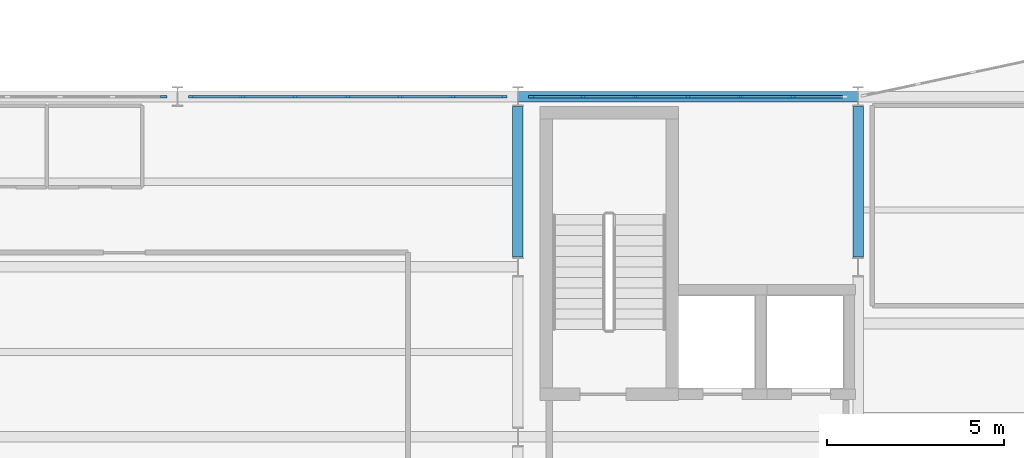
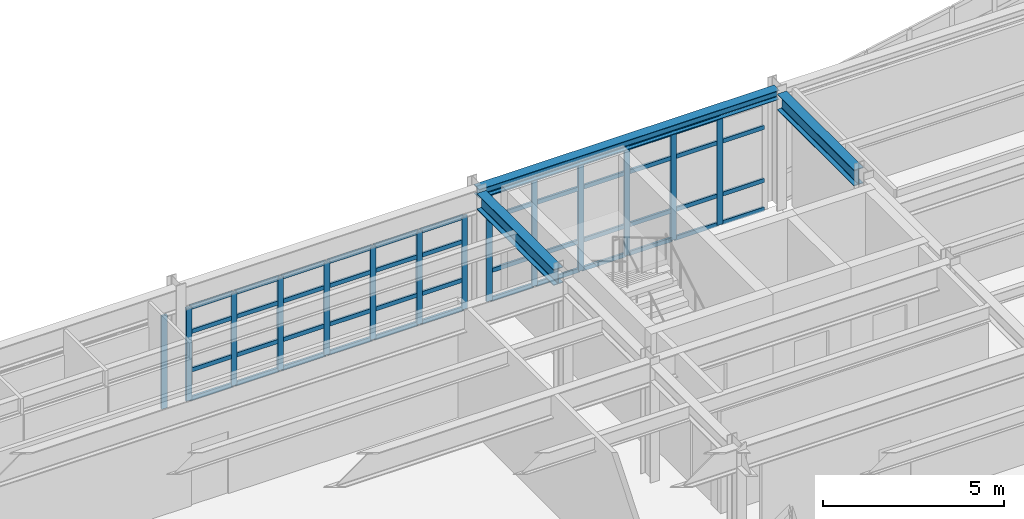
# One storey, part 34 of 88: 61 members, 3 beams, 3 elements without a shape of their own.
"""IFC4 building model written with IfcOpenShell, lengths in metres."""

from ifc_helpers import new_model, si_unit, direction, frame, origin, origin_2d, place, context, subcontext, project, spatial, rectangle, i_section, extrude, material, layer, layer_set, material_profile, profile_set, type_object, element, aggregate, save


model = new_model("IFC4")

# Units and contexts
model_context = context("Model", 3, precision=1e-05, world=origin(), true_north=direction((0.0, 1.0)))
body_context = subcontext(model_context, "Body", "Model", "MODEL_VIEW")
ifc_project = project(units=[si_unit("LENGTHUNIT", "METRE"), si_unit("AREAUNIT", "SQUARE_METRE"), si_unit("VOLUMEUNIT", "CUBIC_METRE"), si_unit("PLANEANGLEUNIT", "RADIAN"), si_unit("MASSUNIT", "GRAM", prefix="KILO")], contexts=[model_context])

# Site, building, storey
site_placement = place(None, origin())
site = spatial("IfcSite", under=ifc_project, at=site_placement, CompositionType="ELEMENT")
building_placement = place(site_placement, origin())
building = spatial("IfcBuilding", under=site, at=building_placement, Name="Nordkorset Police Headquarters", CompositionType="ELEMENT")
storey_placement = place(building_placement, frame((0.0, 0.0, 9.449951171875)))
storey = spatial("IfcBuildingStorey", under=building, at=storey_placement, Name="L02", CompositionType="ELEMENT", Elevation=9.449951171875)

# Curtain wall, member
ifc_material_1 = material(Name="Aluminium alloy AW-6060", Category="aluminium")
ifc_layer_1 = layer(ifc_material_1, 0.179931640625, Name="Aluminium alloy AW-6060")
ifc_layer_set_1 = layer_set([ifc_layer_1], Name="Aluminium alloy AW-6060")
curtain_wall_type_1 = type_object("IfcCurtainWallType", Name="CW_Unit_888x315", PredefinedType="USERDEFINED", material=ifc_layer_set_1)
curtain_wall_1_placement = place(storey_placement, origin())
curtain_wall_1 = element("IfcCurtainWall", 1, at=curtain_wall_1_placement, inside=storey, type_object=curtain_wall_type_1, Name="Unitised Curtain Wall L02 V1N-0", ObjectType="UNITISED CURTAIN WALL", PredefinedType="USERDEFINED")
ifc_material_2 = material(Name="Aluminium alloy AW-6060", Category="aluminium")
ifc_material_profile_1 = material_profile(ifc_material_2, rectangle(XDim=0.06494140625, YDim=0.179931640625, at=origin_2d()), Name="ALU MULL 65x180")
ifc_profile_set_1 = profile_set([ifc_material_profile_1], Name="Aluminium alloy AW-6060")
member_type_1 = type_object("IfcMemberType", Name="CW_Mullion_65x180", PredefinedType="MULLION", material=ifc_profile_set_1)
member_1_placement = place(storey_placement, frame((9.20751953125, 116.800048828125, 0.0), z_axis=(0.0, 0.0, 1.0), x_axis=(0.0, 1.0, 0.0)))
member_1 = element("IfcMember", 2, at=member_1_placement, type_object=member_type_1, Name="CW-22 mullion 7", PredefinedType="MULLION", context=body_context, shape_type="SweptSolid", body=[
    extrude(rectangle(XDim=0.06494140625, YDim=0.179931640625, at=origin_2d()), origin(), (0.0, 0.0, 1.0), 3.150146484375),
])
aggregate(curtain_wall_1, [member_1])

# Curtain wall, members
curtain_wall_2_placement = place(storey_placement, origin())
curtain_wall_2 = element("IfcCurtainWall", 3, at=curtain_wall_2_placement, inside=storey, type_object=curtain_wall_type_1, Name="Unitised Curtain Wall L02 V1N-1", ObjectType="UNITISED CURTAIN WALL", PredefinedType="USERDEFINED")
member_2_placement = place(storey_placement, frame((9.992431640625, 116.800048828125, 0.0), z_axis=(0.0, 0.0, 1.0), x_axis=(0.0, 1.0, 0.0)))
member_2 = element("IfcMember", 4, at=member_2_placement, type_object=member_type_1, Name="CW-22 mullion 1", PredefinedType="MULLION", context=body_context, shape_type="SweptSolid", body=[
    extrude(rectangle(XDim=0.06494140625, YDim=0.179931640625, at=origin_2d()), origin(), (0.0, 0.0, 1.0), 3.150146484375),
])
member_3_placement = place(storey_placement, frame((11.43994140625, 116.800048828125, 0.0), z_axis=(0.0, 0.0, 1.0), x_axis=(0.0, 1.0, 0.0)))
member_3 = element("IfcMember", 5, at=member_3_placement, type_object=member_type_1, Name="CW-22 mullion 2", PredefinedType="MULLION", context=body_context, shape_type="SweptSolid", body=[
    extrude(rectangle(XDim=0.06494140625, YDim=0.179931640625, at=origin_2d()), origin(), (0.0, 0.0, 1.0), 3.150146484375),
])
member_4_placement = place(storey_placement, frame((12.919921875, 116.800048828125, 0.0), z_axis=(0.0, 0.0, 1.0), x_axis=(0.0, 1.0, 0.0)))
member_4 = element("IfcMember", 6, at=member_4_placement, type_object=member_type_1, Name="CW-22 mullion 3", PredefinedType="MULLION", context=body_context, shape_type="SweptSolid", body=[
    extrude(rectangle(XDim=0.06494140625, YDim=0.179931640625, at=origin_2d()), origin(), (0.0, 0.0, 1.0), 3.150146484375),
])
member_5_placement = place(storey_placement, frame((14.39990234375, 116.800048828125, 0.0), z_axis=(0.0, 0.0, 1.0), x_axis=(0.0, 1.0, 0.0)))
member_5 = element("IfcMember", 7, at=member_5_placement, type_object=member_type_1, Name="CW-22 mullion 4", PredefinedType="MULLION", context=body_context, shape_type="SweptSolid", body=[
    extrude(rectangle(XDim=0.06494140625, YDim=0.179931640625, at=origin_2d()), origin(), (0.0, 0.0, 1.0), 3.150146484375),
])
member_6_placement = place(storey_placement, frame((15.8798828125, 116.800048828125, 0.0), z_axis=(0.0, 0.0, 1.0), x_axis=(0.0, 1.0, 0.0)))
member_6 = element("IfcMember", 8, at=member_6_placement, type_object=member_type_1, Name="CW-22 mullion 5", PredefinedType="MULLION", context=body_context, shape_type="SweptSolid", body=[
    extrude(rectangle(XDim=0.06494140625, YDim=0.179931640625, at=origin_2d()), origin(), (0.0, 0.0, 1.0), 3.150146484375),
])
member_7_placement = place(storey_placement, frame((17.360107421875, 116.800048828125, 0.0), z_axis=(0.0, 0.0, 1.0), x_axis=(0.0, 1.0, 0.0)))
member_7 = element("IfcMember", 9, at=member_7_placement, type_object=member_type_1, Name="CW-22 mullion 6", PredefinedType="MULLION", context=body_context, shape_type="SweptSolid", body=[
    extrude(rectangle(XDim=0.06494140625, YDim=0.179931640625, at=origin_2d()), origin(), (0.0, 0.0, 1.0), 3.150146484375),
])
member_8_placement = place(storey_placement, frame((18.8076171875, 116.800048828125, 0.0), z_axis=(0.0, 0.0, 1.0), x_axis=(0.0, 1.0, 0.0)))
member_8 = element("IfcMember", 10, at=member_8_placement, type_object=member_type_1, Name="CW-22 mullion 7", PredefinedType="MULLION", context=body_context, shape_type="SweptSolid", body=[
    extrude(rectangle(XDim=0.06494140625, YDim=0.179931640625, at=origin_2d()), origin(), (0.0, 0.0, 1.0), 3.150146484375),
])

ifc_material_3 = material(Name="Aluminium alloy AW-6060", Category="aluminium")
ifc_layer_2 = layer(ifc_material_3, 0.179931640625, Name="Aluminium alloy AW-6060")
ifc_layer_set_2 = layer_set([ifc_layer_2], Name="Aluminium alloy AW-6060")
curtain_wall_type_2 = type_object("IfcCurtainWallType", Name="CW_Unit_888x364", PredefinedType="USERDEFINED", material=ifc_layer_set_2)
curtain_wall_3_placement = place(storey_placement, origin())
curtain_wall_3 = element("IfcCurtainWall", 11, at=curtain_wall_3_placement, inside=storey, type_object=curtain_wall_type_2, Name="Unitised Curtain Wall L02 V1N-2", ObjectType="UNITISED CURTAIN WALL", PredefinedType="USERDEFINED")
member_9_placement = place(storey_placement, frame((19.592529296875, 116.800048828125, 0.0), z_axis=(0.0, 0.0, 1.0), x_axis=(0.0, 1.0, 0.0)))
member_9 = element("IfcMember", 12, at=member_9_placement, type_object=member_type_1, Name="CW-53 mullion 1", PredefinedType="MULLION", context=body_context, shape_type="SweptSolid", body=[
    extrude(rectangle(XDim=0.06494140625, YDim=0.179931640625, at=origin_2d()), origin(), (0.0, 0.0, 1.0), 3.64013671875),
])
member_10_placement = place(storey_placement, frame((21.0400390625, 116.800048828125, 0.0), z_axis=(0.0, 0.0, 1.0), x_axis=(0.0, 1.0, 0.0)))
member_10 = element("IfcMember", 13, at=member_10_placement, type_object=member_type_1, Name="CW-53 mullion 2", PredefinedType="MULLION", context=body_context, shape_type="SweptSolid", body=[
    extrude(rectangle(XDim=0.06494140625, YDim=0.179931640625, at=origin_2d()), origin(), (0.0, 0.0, 1.0), 3.64013671875),
])
member_11_placement = place(storey_placement, frame((22.52001953125, 116.800048828125, 0.0), z_axis=(0.0, 0.0, 1.0), x_axis=(0.0, 1.0, 0.0)))
member_11 = element("IfcMember", 14, at=member_11_placement, type_object=member_type_1, Name="CW-53 mullion 3", PredefinedType="MULLION", context=body_context, shape_type="SweptSolid", body=[
    extrude(rectangle(XDim=0.06494140625, YDim=0.179931640625, at=origin_2d()), origin(), (0.0, 0.0, 1.0), 3.64013671875),
])
member_12_placement = place(storey_placement, frame((24.0, 116.800048828125, 0.0), z_axis=(0.0, 0.0, 1.0), x_axis=(0.0, 1.0, 0.0)))
member_12 = element("IfcMember", 15, at=member_12_placement, type_object=member_type_1, Name="CW-53 mullion 4", PredefinedType="MULLION", context=body_context, shape_type="SweptSolid", body=[
    extrude(rectangle(XDim=0.06494140625, YDim=0.179931640625, at=origin_2d()), origin(), (0.0, 0.0, 1.0), 3.64013671875),
])
member_13_placement = place(storey_placement, frame((25.47998046875, 116.800048828125, 0.0), z_axis=(0.0, 0.0, 1.0), x_axis=(0.0, 1.0, 0.0)))
member_13 = element("IfcMember", 16, at=member_13_placement, type_object=member_type_1, Name="CW-53 mullion 5", PredefinedType="MULLION", context=body_context, shape_type="SweptSolid", body=[
    extrude(rectangle(XDim=0.06494140625, YDim=0.179931640625, at=origin_2d()), origin(), (0.0, 0.0, 1.0), 3.64013671875),
])
member_14_placement = place(storey_placement, frame((26.9599609375, 116.800048828125, 0.0), z_axis=(0.0, 0.0, 1.0), x_axis=(0.0, 1.0, 0.0)))
member_14 = element("IfcMember", 17, at=member_14_placement, type_object=member_type_1, Name="CW-53 mullion 6", PredefinedType="MULLION", context=body_context, shape_type="SweptSolid", body=[
    extrude(rectangle(XDim=0.06494140625, YDim=0.179931640625, at=origin_2d()), origin(), (0.0, 0.0, 1.0), 3.64013671875),
])

# Member
ifc_material_4 = material(Name="Aluminium alloy AW-6060", Category="aluminium")
ifc_material_profile_2 = material_profile(ifc_material_4, rectangle(XDim=0.06494140625, YDim=0.139892578125, at=origin_2d()), Name="ALU TRAN 65x140")
ifc_profile_set_2 = profile_set([ifc_material_profile_2], Name="Aluminium alloy AW-6060")
member_type_2 = type_object("IfcMemberType", Name="CW_Transom_65x140", PredefinedType="USERDEFINED", material=ifc_profile_set_2)
member_15_placement = place(storey_placement, frame((10.02490234375, 116.800048828125, 0.032470703125), z_axis=(1.0, 0.0, 0.0), x_axis=(0.0, 1.0, 0.0)))
member_15 = element("IfcMember", 18, at=member_15_placement, type_object=member_type_2, Name="CW-22 transom 1.1", ObjectType="TRANSOM", PredefinedType="USERDEFINED", context=body_context, shape_type="SweptSolid", body=[
    extrude(rectangle(XDim=0.06494140625, YDim=0.139892578125, at=origin_2d()), origin(), (0.0, 0.0, 1.0), 1.382568359375),
])

member_16_placement = place(storey_placement, frame((10.02490234375, 116.800048828125, 1.0), z_axis=(1.0, 0.0, 0.0), x_axis=(0.0, 1.0, 0.0)))
member_16 = element("IfcMember", 19, at=member_16_placement, type_object=member_type_2, Name="CW-22 transom 1.2", ObjectType="TRANSOM", PredefinedType="USERDEFINED", context=body_context, shape_type="SweptSolid", body=[
    extrude(rectangle(XDim=0.06494140625, YDim=0.139892578125, at=origin_2d()), origin(), (0.0, 0.0, 1.0), 1.382568359375),
])

member_17_placement = place(storey_placement, frame((10.02490234375, 116.800048828125, 2.300048828125), z_axis=(1.0, 0.0, 0.0), x_axis=(0.0, 1.0, 0.0)))
member_17 = element("IfcMember", 20, at=member_17_placement, type_object=member_type_2, Name="CW-22 transom 1.3", ObjectType="TRANSOM", PredefinedType="USERDEFINED", context=body_context, shape_type="SweptSolid", body=[
    extrude(rectangle(XDim=0.06494140625, YDim=0.139892578125, at=origin_2d()), origin(), (0.0, 0.0, 1.0), 1.382568359375),
])

member_18_placement = place(storey_placement, frame((10.02490234375, 116.800048828125, 3.117431640625), z_axis=(1.0, 0.0, 0.0), x_axis=(0.0, 1.0, 0.0)))
member_18 = element("IfcMember", 21, at=member_18_placement, type_object=member_type_2, Name="CW-22 transom 1.4", ObjectType="TRANSOM", PredefinedType="USERDEFINED", context=body_context, shape_type="SweptSolid", body=[
    extrude(rectangle(XDim=0.06494140625, YDim=0.139892578125, at=origin_2d()), origin(), (0.0, 0.0, 1.0), 1.382568359375),
])

member_19_placement = place(storey_placement, frame((11.472412109375, 116.800048828125, 0.032470703125), z_axis=(1.0, 0.0, 0.0), x_axis=(0.0, 1.0, 0.0)))
member_19 = element("IfcMember", 22, at=member_19_placement, type_object=member_type_2, Name="CW-22 transom 2.1", ObjectType="TRANSOM", PredefinedType="USERDEFINED", context=body_context, shape_type="SweptSolid", body=[
    extrude(rectangle(XDim=0.06494140625, YDim=0.139892578125, at=origin_2d()), origin(), (0.0, 0.0, 1.0), 1.4150390625),
])

member_20_placement = place(storey_placement, frame((11.472412109375, 116.800048828125, 1.0), z_axis=(1.0, 0.0, 0.0), x_axis=(0.0, 1.0, 0.0)))
member_20 = element("IfcMember", 23, at=member_20_placement, type_object=member_type_2, Name="CW-22 transom 2.2", ObjectType="TRANSOM", PredefinedType="USERDEFINED", context=body_context, shape_type="SweptSolid", body=[
    extrude(rectangle(XDim=0.06494140625, YDim=0.139892578125, at=origin_2d()), origin(), (0.0, 0.0, 1.0), 1.4150390625),
])

member_21_placement = place(storey_placement, frame((11.472412109375, 116.800048828125, 2.300048828125), z_axis=(1.0, 0.0, 0.0), x_axis=(0.0, 1.0, 0.0)))
member_21 = element("IfcMember", 24, at=member_21_placement, type_object=member_type_2, Name="CW-22 transom 2.3", ObjectType="TRANSOM", PredefinedType="USERDEFINED", context=body_context, shape_type="SweptSolid", body=[
    extrude(rectangle(XDim=0.06494140625, YDim=0.139892578125, at=origin_2d()), origin(), (0.0, 0.0, 1.0), 1.4150390625),
])

member_22_placement = place(storey_placement, frame((11.472412109375, 116.800048828125, 3.117431640625), z_axis=(1.0, 0.0, 0.0), x_axis=(0.0, 1.0, 0.0)))
member_22 = element("IfcMember", 25, at=member_22_placement, type_object=member_type_2, Name="CW-22 transom 2.4", ObjectType="TRANSOM", PredefinedType="USERDEFINED", context=body_context, shape_type="SweptSolid", body=[
    extrude(rectangle(XDim=0.06494140625, YDim=0.139892578125, at=origin_2d()), origin(), (0.0, 0.0, 1.0), 1.4150390625),
])

member_23_placement = place(storey_placement, frame((12.952392578125, 116.800048828125, 0.032470703125), z_axis=(1.0, 0.0, 0.0), x_axis=(0.0, 1.0, 0.0)))
member_23 = element("IfcMember", 26, at=member_23_placement, type_object=member_type_2, Name="CW-22 transom 3.1", ObjectType="TRANSOM", PredefinedType="USERDEFINED", context=body_context, shape_type="SweptSolid", body=[
    extrude(rectangle(XDim=0.06494140625, YDim=0.139892578125, at=origin_2d()), origin(), (0.0, 0.0, 1.0), 1.4150390625),
])

member_24_placement = place(storey_placement, frame((12.952392578125, 116.800048828125, 1.0), z_axis=(1.0, 0.0, 0.0), x_axis=(0.0, 1.0, 0.0)))
member_24 = element("IfcMember", 27, at=member_24_placement, type_object=member_type_2, Name="CW-22 transom 3.2", ObjectType="TRANSOM", PredefinedType="USERDEFINED", context=body_context, shape_type="SweptSolid", body=[
    extrude(rectangle(XDim=0.06494140625, YDim=0.139892578125, at=origin_2d()), origin(), (0.0, 0.0, 1.0), 1.4150390625),
])

member_25_placement = place(storey_placement, frame((12.952392578125, 116.800048828125, 2.300048828125), z_axis=(1.0, 0.0, 0.0), x_axis=(0.0, 1.0, 0.0)))
member_25 = element("IfcMember", 28, at=member_25_placement, type_object=member_type_2, Name="CW-22 transom 3.3", ObjectType="TRANSOM", PredefinedType="USERDEFINED", context=body_context, shape_type="SweptSolid", body=[
    extrude(rectangle(XDim=0.06494140625, YDim=0.139892578125, at=origin_2d()), origin(), (0.0, 0.0, 1.0), 1.4150390625),
])

member_26_placement = place(storey_placement, frame((12.952392578125, 116.800048828125, 3.117431640625), z_axis=(1.0, 0.0, 0.0), x_axis=(0.0, 1.0, 0.0)))
member_26 = element("IfcMember", 29, at=member_26_placement, type_object=member_type_2, Name="CW-22 transom 3.4", ObjectType="TRANSOM", PredefinedType="USERDEFINED", context=body_context, shape_type="SweptSolid", body=[
    extrude(rectangle(XDim=0.06494140625, YDim=0.139892578125, at=origin_2d()), origin(), (0.0, 0.0, 1.0), 1.4150390625),
])

member_27_placement = place(storey_placement, frame((14.4326171875, 116.800048828125, 0.032470703125), z_axis=(1.0, 0.0, 0.0), x_axis=(0.0, 1.0, 0.0)))
member_27 = element("IfcMember", 30, at=member_27_placement, type_object=member_type_2, Name="CW-22 transom 4.1", ObjectType="TRANSOM", PredefinedType="USERDEFINED", context=body_context, shape_type="SweptSolid", body=[
    extrude(rectangle(XDim=0.06494140625, YDim=0.139892578125, at=origin_2d()), origin(), (0.0, 0.0, 1.0), 1.414794921875),
])

member_28_placement = place(storey_placement, frame((14.4326171875, 116.800048828125, 1.0), z_axis=(1.0, 0.0, 0.0), x_axis=(0.0, 1.0, 0.0)))
member_28 = element("IfcMember", 31, at=member_28_placement, type_object=member_type_2, Name="CW-22 transom 4.2", ObjectType="TRANSOM", PredefinedType="USERDEFINED", context=body_context, shape_type="SweptSolid", body=[
    extrude(rectangle(XDim=0.06494140625, YDim=0.139892578125, at=origin_2d()), origin(), (0.0, 0.0, 1.0), 1.414794921875),
])

member_29_placement = place(storey_placement, frame((14.4326171875, 116.800048828125, 2.300048828125), z_axis=(1.0, 0.0, 0.0), x_axis=(0.0, 1.0, 0.0)))
member_29 = element("IfcMember", 32, at=member_29_placement, type_object=member_type_2, Name="CW-22 transom 4.3", ObjectType="TRANSOM", PredefinedType="USERDEFINED", context=body_context, shape_type="SweptSolid", body=[
    extrude(rectangle(XDim=0.06494140625, YDim=0.139892578125, at=origin_2d()), origin(), (0.0, 0.0, 1.0), 1.414794921875),
])

member_30_placement = place(storey_placement, frame((14.4326171875, 116.800048828125, 3.117431640625), z_axis=(1.0, 0.0, 0.0), x_axis=(0.0, 1.0, 0.0)))
member_30 = element("IfcMember", 33, at=member_30_placement, type_object=member_type_2, Name="CW-22 transom 4.4", ObjectType="TRANSOM", PredefinedType="USERDEFINED", context=body_context, shape_type="SweptSolid", body=[
    extrude(rectangle(XDim=0.06494140625, YDim=0.139892578125, at=origin_2d()), origin(), (0.0, 0.0, 1.0), 1.414794921875),
])

member_31_placement = place(storey_placement, frame((15.91259765625, 116.800048828125, 0.032470703125), z_axis=(1.0, 0.0, 0.0), x_axis=(0.0, 1.0, 0.0)))
member_31 = element("IfcMember", 34, at=member_31_placement, type_object=member_type_2, Name="CW-22 transom 5.1", ObjectType="TRANSOM", PredefinedType="USERDEFINED", context=body_context, shape_type="SweptSolid", body=[
    extrude(rectangle(XDim=0.06494140625, YDim=0.139892578125, at=origin_2d()), origin(), (0.0, 0.0, 1.0), 1.414794921875),
])

member_32_placement = place(storey_placement, frame((15.91259765625, 116.800048828125, 1.0), z_axis=(1.0, 0.0, 0.0), x_axis=(0.0, 1.0, 0.0)))
member_32 = element("IfcMember", 35, at=member_32_placement, type_object=member_type_2, Name="CW-22 transom 5.2", ObjectType="TRANSOM", PredefinedType="USERDEFINED", context=body_context, shape_type="SweptSolid", body=[
    extrude(rectangle(XDim=0.06494140625, YDim=0.139892578125, at=origin_2d()), origin(), (0.0, 0.0, 1.0), 1.414794921875),
])

member_33_placement = place(storey_placement, frame((15.91259765625, 116.800048828125, 2.300048828125), z_axis=(1.0, 0.0, 0.0), x_axis=(0.0, 1.0, 0.0)))
member_33 = element("IfcMember", 36, at=member_33_placement, type_object=member_type_2, Name="CW-22 transom 5.3", ObjectType="TRANSOM", PredefinedType="USERDEFINED", context=body_context, shape_type="SweptSolid", body=[
    extrude(rectangle(XDim=0.06494140625, YDim=0.139892578125, at=origin_2d()), origin(), (0.0, 0.0, 1.0), 1.414794921875),
])

member_34_placement = place(storey_placement, frame((15.91259765625, 116.800048828125, 3.117431640625), z_axis=(1.0, 0.0, 0.0), x_axis=(0.0, 1.0, 0.0)))
member_34 = element("IfcMember", 37, at=member_34_placement, type_object=member_type_2, Name="CW-22 transom 5.4", ObjectType="TRANSOM", PredefinedType="USERDEFINED", context=body_context, shape_type="SweptSolid", body=[
    extrude(rectangle(XDim=0.06494140625, YDim=0.139892578125, at=origin_2d()), origin(), (0.0, 0.0, 1.0), 1.414794921875),
])

member_35_placement = place(storey_placement, frame((17.392578125, 116.800048828125, 0.032470703125), z_axis=(1.0, 0.0, 0.0), x_axis=(0.0, 1.0, 0.0)))
member_35 = element("IfcMember", 38, at=member_35_placement, type_object=member_type_2, Name="CW-22 transom 6.1", ObjectType="TRANSOM", PredefinedType="USERDEFINED", context=body_context, shape_type="SweptSolid", body=[
    extrude(rectangle(XDim=0.06494140625, YDim=0.139892578125, at=origin_2d()), origin(), (0.0, 0.0, 1.0), 1.38232421875),
])

member_36_placement = place(storey_placement, frame((17.392578125, 116.800048828125, 1.0), z_axis=(1.0, 0.0, 0.0), x_axis=(0.0, 1.0, 0.0)))
member_36 = element("IfcMember", 39, at=member_36_placement, type_object=member_type_2, Name="CW-22 transom 6.2", ObjectType="TRANSOM", PredefinedType="USERDEFINED", context=body_context, shape_type="SweptSolid", body=[
    extrude(rectangle(XDim=0.06494140625, YDim=0.139892578125, at=origin_2d()), origin(), (0.0, 0.0, 1.0), 1.38232421875),
])

member_37_placement = place(storey_placement, frame((17.392578125, 116.800048828125, 2.300048828125), z_axis=(1.0, 0.0, 0.0), x_axis=(0.0, 1.0, 0.0)))
member_37 = element("IfcMember", 40, at=member_37_placement, type_object=member_type_2, Name="CW-22 transom 6.3", ObjectType="TRANSOM", PredefinedType="USERDEFINED", context=body_context, shape_type="SweptSolid", body=[
    extrude(rectangle(XDim=0.06494140625, YDim=0.139892578125, at=origin_2d()), origin(), (0.0, 0.0, 1.0), 1.38232421875),
])

member_38_placement = place(storey_placement, frame((17.392578125, 116.800048828125, 3.117431640625), z_axis=(1.0, 0.0, 0.0), x_axis=(0.0, 1.0, 0.0)))
member_38 = element("IfcMember", 41, at=member_38_placement, type_object=member_type_2, Name="CW-22 transom 6.4", ObjectType="TRANSOM", PredefinedType="USERDEFINED", context=body_context, shape_type="SweptSolid", body=[
    extrude(rectangle(XDim=0.06494140625, YDim=0.139892578125, at=origin_2d()), origin(), (0.0, 0.0, 1.0), 1.38232421875),
])

aggregate(curtain_wall_2, [member_2, member_3, member_4, member_5, member_6, member_7, member_8, member_15, member_16, member_17, member_18, member_19, member_20, member_21, member_22, member_23, member_24, member_25, member_26, member_27, member_28, member_29, member_30, member_31, member_32, member_33, member_34, member_35, member_36, member_37, member_38])

member_39_placement = place(storey_placement, frame((19.625, 116.800048828125, 0.032470703125), z_axis=(1.0, 0.0, 0.0), x_axis=(0.0, 1.0, 0.0)))
member_39 = element("IfcMember", 42, at=member_39_placement, type_object=member_type_2, Name="CW-53 transom 1.1", ObjectType="TRANSOM", PredefinedType="USERDEFINED", context=body_context, shape_type="SweptSolid", body=[
    extrude(rectangle(XDim=0.06494140625, YDim=0.139892578125, at=origin_2d()), origin(), (0.0, 0.0, 1.0), 1.382568359375),
])

member_40_placement = place(storey_placement, frame((19.625, 116.800048828125, 1.0), z_axis=(1.0, 0.0, 0.0), x_axis=(0.0, 1.0, 0.0)))
member_40 = element("IfcMember", 43, at=member_40_placement, type_object=member_type_2, Name="CW-53 transom 1.2", ObjectType="TRANSOM", PredefinedType="USERDEFINED", context=body_context, shape_type="SweptSolid", body=[
    extrude(rectangle(XDim=0.06494140625, YDim=0.139892578125, at=origin_2d()), origin(), (0.0, 0.0, 1.0), 1.382568359375),
])

member_41_placement = place(storey_placement, frame((19.625, 116.800048828125, 2.7900390625), z_axis=(1.0, 0.0, 0.0), x_axis=(0.0, 1.0, 0.0)))
member_41 = element("IfcMember", 44, at=member_41_placement, type_object=member_type_2, Name="CW-53 transom 1.3", ObjectType="TRANSOM", PredefinedType="USERDEFINED", context=body_context, shape_type="SweptSolid", body=[
    extrude(rectangle(XDim=0.06494140625, YDim=0.139892578125, at=origin_2d()), origin(), (0.0, 0.0, 1.0), 1.382568359375),
])

member_42_placement = place(storey_placement, frame((19.625, 116.800048828125, 3.607666015625), z_axis=(1.0, 0.0, 0.0), x_axis=(0.0, 1.0, 0.0)))
member_42 = element("IfcMember", 45, at=member_42_placement, type_object=member_type_2, Name="CW-53 transom 1.4", ObjectType="TRANSOM", PredefinedType="USERDEFINED", context=body_context, shape_type="SweptSolid", body=[
    extrude(rectangle(XDim=0.06494140625, YDim=0.139892578125, at=origin_2d()), origin(), (0.0, 0.0, 1.0), 1.382568359375),
])

member_43_placement = place(storey_placement, frame((21.072509765625, 116.800048828125, 0.032470703125), z_axis=(1.0, 0.0, 0.0), x_axis=(0.0, 1.0, 0.0)))
member_43 = element("IfcMember", 46, at=member_43_placement, type_object=member_type_2, Name="CW-53 transom 2.1", ObjectType="TRANSOM", PredefinedType="USERDEFINED", context=body_context, shape_type="SweptSolid", body=[
    extrude(rectangle(XDim=0.06494140625, YDim=0.139892578125, at=origin_2d()), origin(), (0.0, 0.0, 1.0), 1.4150390625),
])

member_44_placement = place(storey_placement, frame((21.072509765625, 116.800048828125, 1.0), z_axis=(1.0, 0.0, 0.0), x_axis=(0.0, 1.0, 0.0)))
member_44 = element("IfcMember", 47, at=member_44_placement, type_object=member_type_2, Name="CW-53 transom 2.2", ObjectType="TRANSOM", PredefinedType="USERDEFINED", context=body_context, shape_type="SweptSolid", body=[
    extrude(rectangle(XDim=0.06494140625, YDim=0.139892578125, at=origin_2d()), origin(), (0.0, 0.0, 1.0), 1.4150390625),
])

member_45_placement = place(storey_placement, frame((21.072509765625, 116.800048828125, 2.7900390625), z_axis=(1.0, 0.0, 0.0), x_axis=(0.0, 1.0, 0.0)))
member_45 = element("IfcMember", 48, at=member_45_placement, type_object=member_type_2, Name="CW-53 transom 2.3", ObjectType="TRANSOM", PredefinedType="USERDEFINED", context=body_context, shape_type="SweptSolid", body=[
    extrude(rectangle(XDim=0.06494140625, YDim=0.139892578125, at=origin_2d()), origin(), (0.0, 0.0, 1.0), 1.4150390625),
])

member_46_placement = place(storey_placement, frame((21.072509765625, 116.800048828125, 3.607666015625), z_axis=(1.0, 0.0, 0.0), x_axis=(0.0, 1.0, 0.0)))
member_46 = element("IfcMember", 49, at=member_46_placement, type_object=member_type_2, Name="CW-53 transom 2.4", ObjectType="TRANSOM", PredefinedType="USERDEFINED", context=body_context, shape_type="SweptSolid", body=[
    extrude(rectangle(XDim=0.06494140625, YDim=0.139892578125, at=origin_2d()), origin(), (0.0, 0.0, 1.0), 1.4150390625),
])

member_47_placement = place(storey_placement, frame((22.552490234375, 116.800048828125, 0.032470703125), z_axis=(1.0, 0.0, 0.0), x_axis=(0.0, 1.0, 0.0)))
member_47 = element("IfcMember", 50, at=member_47_placement, type_object=member_type_2, Name="CW-53 transom 3.1", ObjectType="TRANSOM", PredefinedType="USERDEFINED", context=body_context, shape_type="SweptSolid", body=[
    extrude(rectangle(XDim=0.06494140625, YDim=0.139892578125, at=origin_2d()), origin(), (0.0, 0.0, 1.0), 1.4150390625),
])

member_48_placement = place(storey_placement, frame((22.552490234375, 116.800048828125, 1.0), z_axis=(1.0, 0.0, 0.0), x_axis=(0.0, 1.0, 0.0)))
member_48 = element("IfcMember", 51, at=member_48_placement, type_object=member_type_2, Name="CW-53 transom 3.2", ObjectType="TRANSOM", PredefinedType="USERDEFINED", context=body_context, shape_type="SweptSolid", body=[
    extrude(rectangle(XDim=0.06494140625, YDim=0.139892578125, at=origin_2d()), origin(), (0.0, 0.0, 1.0), 1.4150390625),
])

member_49_placement = place(storey_placement, frame((22.552490234375, 116.800048828125, 2.7900390625), z_axis=(1.0, 0.0, 0.0), x_axis=(0.0, 1.0, 0.0)))
member_49 = element("IfcMember", 52, at=member_49_placement, type_object=member_type_2, Name="CW-53 transom 3.3", ObjectType="TRANSOM", PredefinedType="USERDEFINED", context=body_context, shape_type="SweptSolid", body=[
    extrude(rectangle(XDim=0.06494140625, YDim=0.139892578125, at=origin_2d()), origin(), (0.0, 0.0, 1.0), 1.4150390625),
])

member_50_placement = place(storey_placement, frame((22.552490234375, 116.800048828125, 3.607666015625), z_axis=(1.0, 0.0, 0.0), x_axis=(0.0, 1.0, 0.0)))
member_50 = element("IfcMember", 53, at=member_50_placement, type_object=member_type_2, Name="CW-53 transom 3.4", ObjectType="TRANSOM", PredefinedType="USERDEFINED", context=body_context, shape_type="SweptSolid", body=[
    extrude(rectangle(XDim=0.06494140625, YDim=0.139892578125, at=origin_2d()), origin(), (0.0, 0.0, 1.0), 1.4150390625),
])

member_51_placement = place(storey_placement, frame((24.032470703125, 116.800048828125, 0.032470703125), z_axis=(1.0, 0.0, 0.0), x_axis=(0.0, 1.0, 0.0)))
member_51 = element("IfcMember", 54, at=member_51_placement, type_object=member_type_2, Name="CW-53 transom 4.1", ObjectType="TRANSOM", PredefinedType="USERDEFINED", context=body_context, shape_type="SweptSolid", body=[
    extrude(rectangle(XDim=0.06494140625, YDim=0.139892578125, at=origin_2d()), origin(), (0.0, 0.0, 1.0), 1.4150390625),
])

member_52_placement = place(storey_placement, frame((24.032470703125, 116.800048828125, 1.0), z_axis=(1.0, 0.0, 0.0), x_axis=(0.0, 1.0, 0.0)))
member_52 = element("IfcMember", 55, at=member_52_placement, type_object=member_type_2, Name="CW-53 transom 4.2", ObjectType="TRANSOM", PredefinedType="USERDEFINED", context=body_context, shape_type="SweptSolid", body=[
    extrude(rectangle(XDim=0.06494140625, YDim=0.139892578125, at=origin_2d()), origin(), (0.0, 0.0, 1.0), 1.4150390625),
])

member_53_placement = place(storey_placement, frame((24.032470703125, 116.800048828125, 2.7900390625), z_axis=(1.0, 0.0, 0.0), x_axis=(0.0, 1.0, 0.0)))
member_53 = element("IfcMember", 56, at=member_53_placement, type_object=member_type_2, Name="CW-53 transom 4.3", ObjectType="TRANSOM", PredefinedType="USERDEFINED", context=body_context, shape_type="SweptSolid", body=[
    extrude(rectangle(XDim=0.06494140625, YDim=0.139892578125, at=origin_2d()), origin(), (0.0, 0.0, 1.0), 1.4150390625),
])

member_54_placement = place(storey_placement, frame((24.032470703125, 116.800048828125, 3.607666015625), z_axis=(1.0, 0.0, 0.0), x_axis=(0.0, 1.0, 0.0)))
member_54 = element("IfcMember", 57, at=member_54_placement, type_object=member_type_2, Name="CW-53 transom 4.4", ObjectType="TRANSOM", PredefinedType="USERDEFINED", context=body_context, shape_type="SweptSolid", body=[
    extrude(rectangle(XDim=0.06494140625, YDim=0.139892578125, at=origin_2d()), origin(), (0.0, 0.0, 1.0), 1.4150390625),
])

member_55_placement = place(storey_placement, frame((25.512451171875, 116.800048828125, 0.032470703125), z_axis=(1.0, 0.0, 0.0), x_axis=(0.0, 1.0, 0.0)))
member_55 = element("IfcMember", 58, at=member_55_placement, type_object=member_type_2, Name="CW-53 transom 5.1", ObjectType="TRANSOM", PredefinedType="USERDEFINED", context=body_context, shape_type="SweptSolid", body=[
    extrude(rectangle(XDim=0.06494140625, YDim=0.139892578125, at=origin_2d()), origin(), (0.0, 0.0, 1.0), 1.4150390625),
])

member_56_placement = place(storey_placement, frame((25.512451171875, 116.800048828125, 1.0), z_axis=(1.0, 0.0, 0.0), x_axis=(0.0, 1.0, 0.0)))
member_56 = element("IfcMember", 59, at=member_56_placement, type_object=member_type_2, Name="CW-53 transom 5.2", ObjectType="TRANSOM", PredefinedType="USERDEFINED", context=body_context, shape_type="SweptSolid", body=[
    extrude(rectangle(XDim=0.06494140625, YDim=0.139892578125, at=origin_2d()), origin(), (0.0, 0.0, 1.0), 1.4150390625),
])

member_57_placement = place(storey_placement, frame((25.512451171875, 116.800048828125, 2.7900390625), z_axis=(1.0, 0.0, 0.0), x_axis=(0.0, 1.0, 0.0)))
member_57 = element("IfcMember", 60, at=member_57_placement, type_object=member_type_2, Name="CW-53 transom 5.3", ObjectType="TRANSOM", PredefinedType="USERDEFINED", context=body_context, shape_type="SweptSolid", body=[
    extrude(rectangle(XDim=0.06494140625, YDim=0.139892578125, at=origin_2d()), origin(), (0.0, 0.0, 1.0), 1.4150390625),
])

member_58_placement = place(storey_placement, frame((25.512451171875, 116.800048828125, 3.607666015625), z_axis=(1.0, 0.0, 0.0), x_axis=(0.0, 1.0, 0.0)))
member_58 = element("IfcMember", 61, at=member_58_placement, type_object=member_type_2, Name="CW-53 transom 5.4", ObjectType="TRANSOM", PredefinedType="USERDEFINED", context=body_context, shape_type="SweptSolid", body=[
    extrude(rectangle(XDim=0.06494140625, YDim=0.139892578125, at=origin_2d()), origin(), (0.0, 0.0, 1.0), 1.4150390625),
])

member_59_placement = place(storey_placement, frame((26.992431640625, 116.800048828125, 0.032470703125), z_axis=(1.0, 0.0, 0.0), x_axis=(0.0, 1.0, 0.0)))
member_59 = element("IfcMember", 62, at=member_59_placement, type_object=member_type_2, Name="CW-53 transom 6.1", ObjectType="TRANSOM", PredefinedType="USERDEFINED", context=body_context, shape_type="SweptSolid", body=[
    extrude(rectangle(XDim=0.06494140625, YDim=0.139892578125, at=origin_2d()), origin(), (0.0, 0.0, 1.0), 1.382568359375),
])

member_60_placement = place(storey_placement, frame((26.992431640625, 116.800048828125, 1.0), z_axis=(1.0, 0.0, 0.0), x_axis=(0.0, 1.0, 0.0)))
member_60 = element("IfcMember", 63, at=member_60_placement, type_object=member_type_2, Name="CW-53 transom 6.2", ObjectType="TRANSOM", PredefinedType="USERDEFINED", context=body_context, shape_type="SweptSolid", body=[
    extrude(rectangle(XDim=0.06494140625, YDim=0.139892578125, at=origin_2d()), origin(), (0.0, 0.0, 1.0), 1.382568359375),
])

member_61_placement = place(storey_placement, frame((26.992431640625, 116.800048828125, 2.7900390625), z_axis=(1.0, 0.0, 0.0), x_axis=(0.0, 1.0, 0.0)))
member_61 = element("IfcMember", 64, at=member_61_placement, type_object=member_type_2, Name="CW-53 transom 6.3", ObjectType="TRANSOM", PredefinedType="USERDEFINED", context=body_context, shape_type="SweptSolid", body=[
    extrude(rectangle(XDim=0.06494140625, YDim=0.139892578125, at=origin_2d()), origin(), (0.0, 0.0, 1.0), 1.382568359375),
])

aggregate(curtain_wall_3, [member_9, member_10, member_11, member_12, member_13, member_14, member_39, member_40, member_41, member_42, member_43, member_44, member_45, member_46, member_47, member_48, member_49, member_50, member_51, member_52, member_53, member_54, member_55, member_56, member_57, member_58, member_59, member_60, member_61])

# Beams
ifc_material_5 = material(Name="Steel S355J2", Category="steel")
ifc_material_profile_3 = material_profile(ifc_material_5, i_section(OverallWidth=0.300048828125, OverallDepth=0.5400390625, WebThickness=0.012451171875, FlangeThickness=0.02392578125, FilletRadius=0.027099609375, at=origin_2d()), Name="HEA 550")
ifc_profile_set_3 = profile_set([ifc_material_profile_3], Name="Steel S355J2")
beam_type_1 = type_object("IfcBeamType", Name="Girder_HEA_550", PredefinedType="USERDEFINED", material=ifc_profile_set_3)
for number, where, z_axis, x_axis, name in (
    (65, (19.199951171875, 112.27490234375, 3.699951171875), (0.0, 1.0, 0.0), (-1.0, 0.0, 0.0), "Girder V1 L02 GY-1-6"),
    (66, (28.800048828125, 112.27490234375, 3.699951171875), (0.0, 1.0, 0.0), (-1.0, 0.0, 0.0), "Girder V1 L02 GY-2-6"),
):
    element("IfcBeam", number, at=place(storey_placement, frame(where, z_axis=z_axis, x_axis=x_axis)), inside=storey, type_object=beam_type_1, Name=name, ObjectType="GIRDER", PredefinedType="USERDEFINED", context=body_context, shape_type="SweptSolid", body=[
        extrude(i_section(OverallWidth=0.300048828125, OverallDepth=0.5400390625, WebThickness=0.012451171875, FlangeThickness=0.02392578125, FilletRadius=0.027099609375, at=origin_2d()), origin(), (0.0, 0.0, 1.0), 4.25),
    ])
ifc_material_6 = material(Name="Steel S355J2", Category="steel")
ifc_material_profile_4 = material_profile(ifc_material_6, i_section(OverallWidth=0.300048828125, OverallDepth=0.31005859375, WebThickness=0.009033203125, FlangeThickness=0.015380859375, FilletRadius=0.027099609375, at=origin_2d()), Name="HEA 320")
ifc_profile_set_4 = profile_set([ifc_material_profile_4], Name="Steel S355J2")
beam_type_2 = type_object("IfcBeamType", Name="Spandrel_HEA_320", PredefinedType="SPANDREL", material=ifc_profile_set_4)
beam_placement = place(storey_placement, frame((19.20751953125, 116.800048828125, 3.81494140625), z_axis=(1.0, 0.0, 0.0), x_axis=(0.0, 1.0, 0.0)))
element("IfcBeam", 67, at=beam_placement, inside=storey, type_object=beam_type_2, Name="Girder V1 L02 GX-7-1", PredefinedType="SPANDREL", context=body_context, shape_type="SweptSolid", body=[
    extrude(i_section(OverallWidth=0.300048828125, OverallDepth=0.31005859375, WebThickness=0.009033203125, FlangeThickness=0.015380859375, FilletRadius=0.027099609375, at=origin_2d()), origin(), (0.0, 0.0, 1.0), 9.5849609375),
])

save(model, "model.ifc")
